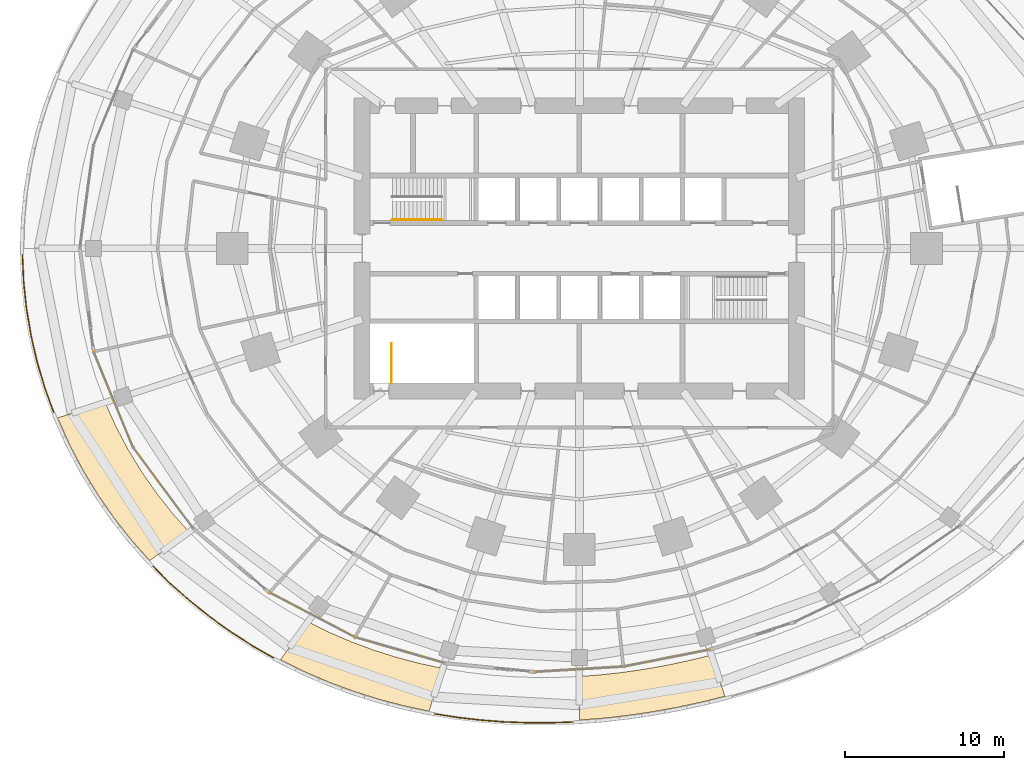
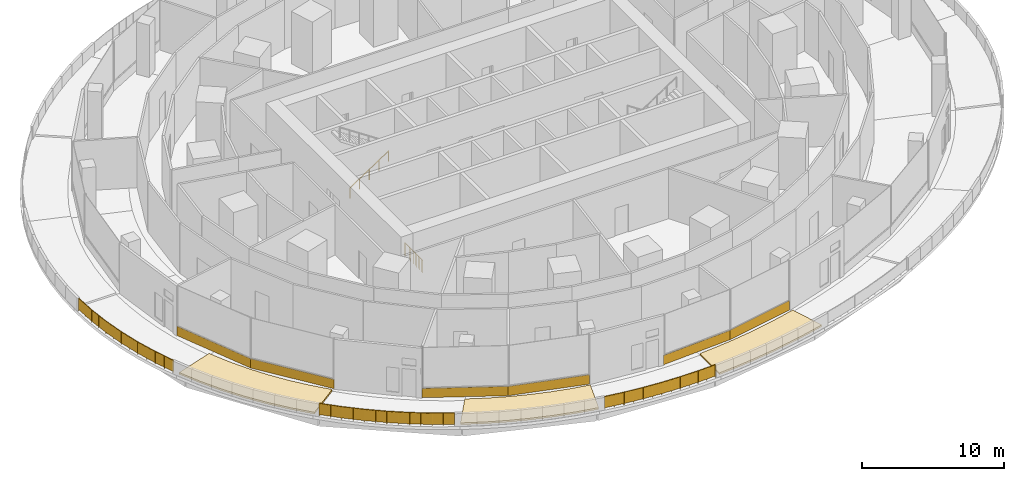
# One storey, part 23 of 26: 9 coverings, 5 railings.
"""IFC4 building model written with IfcOpenShell, lengths in metres."""

from ifc_helpers import new_model, si_unit, direction, frame, origin, origin_2d, place, context, subcontext, project, spatial, polyline, rectangle, circle, outline, extrude, material, layer, layer_set, type_object, element, save


model = new_model("IFC4")

# Units and contexts
model_context = context("Model", 3, precision=1e-05, world=origin(), true_north=direction((0.0, 1.0)))
body_context = subcontext(model_context, "Body", "Model", "MODEL_VIEW")
ifc_project = project(units=[si_unit("LENGTHUNIT", "METRE"), si_unit("AREAUNIT", "SQUARE_METRE"), si_unit("VOLUMEUNIT", "CUBIC_METRE"), si_unit("PLANEANGLEUNIT", "RADIAN"), si_unit("MASSUNIT", "GRAM", prefix="KILO")], contexts=[model_context])

# Site, building, storey
site_placement = place(None, origin())
site = spatial("IfcSite", under=ifc_project, at=site_placement, CompositionType="ELEMENT")
building_placement = place(site_placement, origin())
building = spatial("IfcBuilding", under=site, at=building_placement, Name="Marramba Exchange Tower", CompositionType="ELEMENT")
storey_placement = place(building_placement, frame((0.0, 0.0, 15.10009765625)))
storey = spatial("IfcBuildingStorey", under=building, at=storey_placement, Name="L03", CompositionType="ELEMENT", Elevation=15.10009765625)

# Coverings
ifc_material_1 = material(Name="Extensive green roof: growing medium on drainage cell, filter fabric and root-barrier membrane")
ifc_layer_1 = layer(ifc_material_1, 0.14990234375)
ifc_layer_set_1 = layer_set([ifc_layer_1], Name="Planted roof build-up 150")
covering_type_1 = type_object("IfcCoveringType", Name="Planted roof build-up 150", PredefinedType="ROOFING", material=ifc_layer_set_1)
covering_1_placement = place(storey_placement, origin())
element("IfcCovering", 1, at=covering_1_placement, inside=storey, type_object=covering_type_1, Name="Planted roof build-up L03 bay 12", PredefinedType="ROOFING", context=body_context, shape_type="SweptSolid", body=[
    extrude(outline(polyline([(-29.91162109375, -9.71875), (-29.23486328125, -11.22216796875), (-28.468505859375, -12.675048828125), (-27.61767578125, -14.072021484375), (-26.68798828125, -15.408447265625), (-25.685302734375, -16.68017578125), (-24.615478515625, -17.88427734375), (-27.1005859375, -19.689697265625), (-27.1005859375, -19.689697265625), (-28.275146484375, -18.362060546875), (-29.375244140625, -16.9599609375), (-30.39501953125, -15.487060546875), (-31.32763671875, -13.947998046875), (-32.16748046875, -12.347900390625), (-32.90869140625, -10.692626953125), (-32.90869140625, -10.692626953125), (-29.91162109375, -9.71875)])), origin(), (0.0, 0.0, 1.0), 0.14990234375),
])
covering_2_placement = place(storey_placement, origin())
element("IfcCovering", 2, at=covering_2_placement, inside=storey, type_object=covering_type_1, Name="Planted roof build-up L03 bay 14", PredefinedType="ROOFING", context=body_context, shape_type="SweptSolid", body=[
    extrude(outline(polyline([(-17.114013671875, -23.555419921875), (-15.736328125, -24.231689453125), (-14.33642578125, -24.831298828125), (-12.919189453125, -25.355224609375), (-11.489013671875, -25.804931640625), (-10.05029296875, -26.18212890625), (-8.606689453125, -26.48876953125), (-9.48388671875, -29.18798828125), (-9.48388671875, -29.18798828125), (-11.07421875, -28.849365234375), (-12.6591796875, -28.43310546875), (-14.234375, -27.9365234375), (-15.795166015625, -27.35791015625), (-17.33642578125, -26.69580078125), (-18.852783203125, -25.94873046875), (-17.114013671875, -23.555419921875)])), origin(), (0.0, 0.0, 1.0), 0.14990234375),
])
covering_3_placement = place(storey_placement, origin())
element("IfcCovering", 3, at=covering_3_placement, inside=storey, type_object=covering_type_1, Name="Planted roof build-up L03 bay 16", PredefinedType="ROOFING", context=body_context, shape_type="SweptSolid", body=[
    extrude(outline(polyline([(0.0, -27.0), (1.4091796875, -26.89013671875), (2.8095703125, -26.7314453125), (4.201416015625, -26.526123046875), (5.585205078125, -26.276123046875), (6.9619140625, -25.982177734375), (8.332763671875, -25.645263671875), (9.17919921875, -28.2509765625), (7.669677734375, -28.62353515625), (6.153076171875, -28.9482421875), (4.62890625, -29.22509765625), (3.095458984375, -29.4521484375), (1.552734375, -29.6279296875), (0.0, -29.75), (0.0, -27.0)])), origin(), (0.0, 0.0, 1.0), 0.14990234375),
])
ifc_material_2 = material(Name="Aluminium spandrel panel, bronze anodised, insulated", Category="aluminium")
ifc_layer_2 = layer(ifc_material_2, 0.050048828125)
ifc_layer_set_2 = layer_set([ifc_layer_2], Name="Spandrel panel 800")
covering_type_2 = type_object("IfcCoveringType", Name="Spandrel panel 800", PredefinedType="CLADDING", material=ifc_layer_set_2)
covering_4_placement = place(storey_placement, frame((-29.391357421875, -9.52197265625, 0.0), z_axis=(0.0, 0.0, 1.0), x_axis=(0.381514469877, -0.924362866668, 0.0)))
element("IfcCovering", 4, at=covering_4_placement, inside=storey, type_object=covering_type_2, Name="Spandrel panel SP1 L03 F17", PredefinedType="CLADDING", context=body_context, shape_type="SweptSolid", body=[
    extrude(rectangle(XDim=6.513916015625, YDim=0.050048828125, at=origin_2d()), origin(), (0.0, 0.0, 1.0), 0.800048828125),
])
covering_5_placement = place(storey_placement, frame((-26.240478515625, -15.10546875, 0.0), z_axis=(0.0, 0.0, 1.0), x_axis=(0.595708598795, -0.803200638273, 0.0)))
element("IfcCovering", 5, at=covering_5_placement, inside=storey, type_object=covering_type_2, Name="Spandrel panel SP1 L03 F18", PredefinedType="CLADDING", context=body_context, shape_type="SweptSolid", body=[
    extrude(rectangle(XDim=6.40673828125, YDim=0.050048828125, at=origin_2d()), origin(), (0.0, 0.0, 1.0), 0.800048828125),
])
covering_6_placement = place(storey_placement, frame((-16.854736328125, -23.119140625, 0.0), z_axis=(0.0, 0.0, 1.0), x_axis=(0.886061918905, -0.463566905491, 0.0)))
element("IfcCovering", 6, at=covering_6_placement, inside=storey, type_object=covering_type_2, Name="Spandrel panel SP1 L03 F20", PredefinedType="CLADDING", context=body_context, shape_type="SweptSolid", body=[
    extrude(rectangle(XDim=6.0791015625, YDim=0.050048828125, at=origin_2d()), origin(), (0.0, 0.0, 1.0), 0.800048828125),
])
covering_7_placement = place(storey_placement, frame((-11.330078125, -25.342041015625, 0.0), z_axis=(0.0, 0.0, 1.0), x_axis=(0.961087956546, -0.276242537966, 0.0)))
element("IfcCovering", 7, at=covering_7_placement, inside=storey, type_object=covering_type_2, Name="Spandrel panel SP1 L03 F21", PredefinedType="CLADDING", context=body_context, shape_type="SweptSolid", body=[
    extrude(rectangle(XDim=5.89208984375, YDim=0.050048828125, at=origin_2d()), origin(), (0.0, 0.0, 1.0), 0.800048828125),
])
covering_8_placement = place(storey_placement, frame((-0.017578125, -26.549560546875, 0.0), z_axis=(0.0, 0.0, 1.0), x_axis=(0.998230234091, 0.059467636125, 0.0)))
element("IfcCovering", 8, at=covering_8_placement, inside=storey, type_object=covering_type_2, Name="Spandrel panel SP1 L03 F23", PredefinedType="CLADDING", context=body_context, shape_type="SweptSolid", body=[
    extrude(rectangle(XDim=5.5908203125, YDim=0.050048828125, at=origin_2d()), origin(), (0.0, 0.0, 1.0), 0.800048828125),
])
covering_9_placement = place(storey_placement, frame((5.498779296875, -25.847900390625, 0.0), z_axis=(0.0, 0.0, 1.0), x_axis=(0.981244448819, 0.192767558632, 0.0)))
element("IfcCovering", 9, at=covering_9_placement, inside=storey, type_object=covering_type_2, Name="Spandrel panel SP1 L03 F24", PredefinedType="CLADDING", context=body_context, shape_type="SweptSolid", body=[
    extrude(rectangle(XDim=5.5556640625, YDim=0.050048828125, at=origin_2d()), origin(), (0.0, 0.0, 1.0), 0.800048828125),
])

# Railings
ifc_material_3 = material(Name="Stainless steel handrail", Category="steel")
railing_type_1 = type_object("IfcRailingType", Name="Stair handrail 900", PredefinedType="HANDRAIL", material=ifc_material_3)
railing_1_placement = place(storey_placement, frame((-11.800048828125, 1.800048828125, 0.173095703125)))
element("IfcRailing", 10, at=railing_1_placement, inside=storey, type_object=railing_type_1, Name="Handrail HR1 ST1 L03 flight 1", PredefinedType="HANDRAIL", context=body_context, shape_type="SweptSolid", body=[
    extrude(circle(Radius=0.02392578125, at=origin_2d()), frame((0.0, 0.0, 0.8759765625), z_axis=(0.83244090515, 0.0, 0.554113832559), x_axis=(0.0, 1.0, 0.0)), (0.0, 0.0, 1.0), 3.748046875),
    extrude(circle(Radius=0.02099609375, at=origin_2d()), origin(), (0.0, 0.0, 1.0), 0.851806640625),
    extrude(circle(Radius=0.02099609375, at=origin_2d()), frame((0.780029296875, 0.0, 0.519287109375)), (0.0, 0.0, 1.0), 0.851806640625),
    extrude(circle(Radius=0.02099609375, at=origin_2d()), frame((1.56005859375, 0.0, 1.03857421875)), (0.0, 0.0, 1.0), 0.851806640625),
    extrude(circle(Radius=0.02099609375, at=origin_2d()), frame((2.340087890625, 0.0, 1.5576171875)), (0.0, 0.0, 1.0), 0.851806640625),
    extrude(circle(Radius=0.02099609375, at=origin_2d()), frame((3.1201171875, 0.0, 2.076904296875)), (0.0, 0.0, 1.0), 0.851806640625),
])
ifc_material_4 = material(Name="Stainless steel guard", Category="steel")
railing_type_2 = type_object("IfcRailingType", Name="Stair well guard 1100", PredefinedType="GUARDRAIL", material=ifc_material_4)
railing_2_placement = place(storey_placement, frame((-11.85009765625, -8.5, 0.0)))
element("IfcRailing", 11, at=railing_2_placement, inside=storey, type_object=railing_type_2, Name="Stair well guard GR2 ST3 L03", PredefinedType="GUARDRAIL", context=body_context, shape_type="SweptSolid", body=[
    extrude(circle(Radius=0.02392578125, at=origin_2d()), frame((0.0, 0.0, 1.076171875), z_axis=(0.0, 1.0, 0.0), x_axis=(-1.0, 0.0, 0.0)), (0.0, 0.0, 1.0), 2.5),
    extrude(circle(Radius=0.02099609375, at=origin_2d()), origin(), (0.0, 0.0, 1.0), 1.052001953125),
    extrude(circle(Radius=0.02099609375, at=origin_2d()), frame((0.0, 0.833251953125, 0.0)), (0.0, 0.0, 1.0), 1.052001953125),
    extrude(circle(Radius=0.02099609375, at=origin_2d()), frame((0.0, 1.666748046875, 0.0)), (0.0, 0.0, 1.0), 1.052001953125),
    extrude(circle(Radius=0.02099609375, at=origin_2d()), frame((0.0, 2.5, 0.0)), (0.0, 0.0, 1.0), 1.052001953125),
    extrude(circle(Radius=0.006103515625, at=origin_2d()), frame((0.0, 0.115478515625, 0.0)), (0.0, 0.0, 1.0), 1.052001953125),
    extrude(circle(Radius=0.006103515625, at=origin_2d()), frame((0.0, 0.2158203125, 0.0)), (0.0, 0.0, 1.0), 1.052001953125),
    extrude(circle(Radius=0.006103515625, at=origin_2d()), frame((0.0, 0.316162109375, 0.0)), (0.0, 0.0, 1.0), 1.052001953125),
    extrude(circle(Radius=0.006103515625, at=origin_2d()), frame((0.0, 0.416748046875, 0.0)), (0.0, 0.0, 1.0), 1.052001953125),
    extrude(circle(Radius=0.006103515625, at=origin_2d()), frame((0.0, 0.51708984375, 0.0)), (0.0, 0.0, 1.0), 1.052001953125),
    extrude(circle(Radius=0.006103515625, at=origin_2d()), frame((0.0, 0.617431640625, 0.0)), (0.0, 0.0, 1.0), 1.052001953125),
    extrude(circle(Radius=0.006103515625, at=origin_2d()), frame((0.0, 0.718017578125, 0.0)), (0.0, 0.0, 1.0), 1.052001953125),
    extrude(circle(Radius=0.006103515625, at=origin_2d()), frame((0.0, 0.94873046875, 0.0)), (0.0, 0.0, 1.0), 1.052001953125),
    extrude(circle(Radius=0.006103515625, at=origin_2d()), frame((0.0, 1.049072265625, 0.0)), (0.0, 0.0, 1.0), 1.052001953125),
    extrude(circle(Radius=0.006103515625, at=origin_2d()), frame((0.0, 1.149658203125, 0.0)), (0.0, 0.0, 1.0), 1.052001953125),
    extrude(circle(Radius=0.006103515625, at=origin_2d()), frame((0.0, 1.25, 0.0)), (0.0, 0.0, 1.0), 1.052001953125),
    extrude(circle(Radius=0.006103515625, at=origin_2d()), frame((0.0, 1.350341796875, 0.0)), (0.0, 0.0, 1.0), 1.052001953125),
    extrude(circle(Radius=0.006103515625, at=origin_2d()), frame((0.0, 1.450927734375, 0.0)), (0.0, 0.0, 1.0), 1.052001953125),
    extrude(circle(Radius=0.006103515625, at=origin_2d()), frame((0.0, 1.55126953125, 0.0)), (0.0, 0.0, 1.0), 1.052001953125),
    extrude(circle(Radius=0.006103515625, at=origin_2d()), frame((0.0, 1.781982421875, 0.0)), (0.0, 0.0, 1.0), 1.052001953125),
    extrude(circle(Radius=0.006103515625, at=origin_2d()), frame((0.0, 1.882568359375, 0.0)), (0.0, 0.0, 1.0), 1.052001953125),
    extrude(circle(Radius=0.006103515625, at=origin_2d()), frame((0.0, 1.98291015625, 0.0)), (0.0, 0.0, 1.0), 1.052001953125),
    extrude(circle(Radius=0.006103515625, at=origin_2d()), frame((0.0, 2.083251953125, 0.0)), (0.0, 0.0, 1.0), 1.052001953125),
    extrude(circle(Radius=0.006103515625, at=origin_2d()), frame((0.0, 2.183837890625, 0.0)), (0.0, 0.0, 1.0), 1.052001953125),
    extrude(circle(Radius=0.006103515625, at=origin_2d()), frame((0.0, 2.2841796875, 0.0)), (0.0, 0.0, 1.0), 1.052001953125),
    extrude(circle(Radius=0.006103515625, at=origin_2d()), frame((0.0, 2.384521484375, 0.0)), (0.0, 0.0, 1.0), 1.052001953125),
])
ifc_material_5 = material(Name="Bronze anodised aluminium and laminated glass guard", Category="aluminium")
railing_type_3 = type_object("IfcRailingType", Name="Terrace guard 1100", PredefinedType="GUARDRAIL", material=ifc_material_5)
railing_3_placement = place(storey_placement, frame((-35.127197265625, -0.398193359375, 0.0)))
element("IfcRailing", 12, at=railing_3_placement, inside=storey, type_object=railing_type_3, Name="Terrace guard GR1 L03 bay 11", PredefinedType="GUARDRAIL", context=body_context, shape_type="SweptSolid", body=[
    extrude(circle(Radius=0.02392578125, at=origin_2d()), frame((0.0, 0.0, 1.076171875), z_axis=(0.044810203102, -0.998995518357, 0.0), x_axis=(0.998995518357, 0.044810203102, 0.0)), (0.0, 0.0, 1.0), 1.705322265625),
    extrude(circle(Radius=0.02392578125, at=origin_2d()), frame((0.076416015625, -1.70361328125, 1.076171875), z_axis=(0.105430428911, -0.99442668139, 0.0), x_axis=(0.99442668139, 0.105430428911, 0.0)), (0.0, 0.0, 1.0), 1.704345703125),
    extrude(circle(Radius=0.02392578125, at=origin_2d()), frame((0.256103515625, -3.3984375, 1.076171875), z_axis=(0.165747381519, -0.986168244023, 0.0), x_axis=(0.986168244023, 0.165747381519, 0.0)), (0.0, 0.0, 1.0), 1.70263671875),
    extrude(circle(Radius=0.02392578125, at=origin_2d()), frame((0.538330078125, -5.07763671875, 1.076171875), z_axis=(0.224723171741, -0.974422647562, 0.0), x_axis=(0.974422647562, 0.224723171741, 0.0)), (0.0, 0.0, 1.0), 1.7001953125),
    extrude(circle(Radius=0.02392578125, at=origin_2d()), frame((0.92041015625, -6.734375, 1.076171875), z_axis=(0.282843897959, -0.959165955082, 0.0), x_axis=(0.959165955082, 0.282843897959, 0.0)), (0.0, 0.0, 1.0), 1.697021484375),
    extrude(circle(Radius=0.02392578125, at=origin_2d()), frame((1.400390625, -8.362060546875, 1.076171875), z_axis=(0.339066722791, -0.940762327847, 0.0), x_axis=(0.940762327847, 0.339066722791, 0.0)), (0.0, 0.0, 1.0), 1.69287109375),
    extrude(circle(Radius=0.02099609375, at=origin_2d()), origin(), (0.0, 0.0, 1.0), 1.052001953125),
    extrude(circle(Radius=0.02099609375, at=origin_2d()), frame((0.0380859375, -0.851806640625, 0.0)), (0.0, 0.0, 1.0), 1.052001953125),
    extrude(circle(Radius=0.02099609375, at=origin_2d()), frame((0.076416015625, -1.70361328125, 0.0)), (0.0, 0.0, 1.0), 1.052001953125),
    extrude(circle(Radius=0.02099609375, at=origin_2d()), frame((0.166259765625, -2.551025390625, 0.0)), (0.0, 0.0, 1.0), 1.052001953125),
    extrude(circle(Radius=0.02099609375, at=origin_2d()), frame((0.256103515625, -3.3984375, 0.0)), (0.0, 0.0, 1.0), 1.052001953125),
    extrude(circle(Radius=0.02099609375, at=origin_2d()), frame((0.397216796875, -4.238037109375, 0.0)), (0.0, 0.0, 1.0), 1.052001953125),
    extrude(circle(Radius=0.02099609375, at=origin_2d()), frame((0.538330078125, -5.07763671875, 0.0)), (0.0, 0.0, 1.0), 1.052001953125),
    extrude(circle(Radius=0.02099609375, at=origin_2d()), frame((0.7294921875, -5.906005859375, 0.0)), (0.0, 0.0, 1.0), 1.052001953125),
    extrude(circle(Radius=0.02099609375, at=origin_2d()), frame((0.92041015625, -6.734375, 0.0)), (0.0, 0.0, 1.0), 1.052001953125),
    extrude(circle(Radius=0.02099609375, at=origin_2d()), frame((1.160400390625, -7.54833984375, 0.0)), (0.0, 0.0, 1.0), 1.052001953125),
    extrude(circle(Radius=0.02099609375, at=origin_2d()), frame((1.400390625, -8.362060546875, 0.0)), (0.0, 0.0, 1.0), 1.052001953125),
    extrude(circle(Radius=0.02099609375, at=origin_2d()), frame((1.6875, -9.158203125, 0.0)), (0.0, 0.0, 1.0), 1.052001953125),
    extrude(circle(Radius=0.02099609375, at=origin_2d()), frame((1.974365234375, -9.95458984375, 0.0)), (0.0, 0.0, 1.0), 1.052001953125),
    extrude(rectangle(XDim=0.834716796875, YDim=0.02001953125, at=origin_2d()), frame((0.01904296875, -0.42578125, 0.10009765625), z_axis=(0.0, 0.0, 1.0), x_axis=(0.044810203102, -0.998995518357, 0.0)), (0.0, 0.0, 1.0), 0.951904296875),
    extrude(rectangle(XDim=0.834716796875, YDim=0.02001953125, at=origin_2d()), frame((0.057373046875, -1.27783203125, 0.10009765625), z_axis=(0.0, 0.0, 1.0), x_axis=(0.044810203102, -0.998995518357, 0.0)), (0.0, 0.0, 1.0), 0.951904296875),
    extrude(rectangle(XDim=0.834228515625, YDim=0.02001953125, at=origin_2d()), frame((0.121337890625, -2.12744140625, 0.10009765625), z_axis=(0.0, 0.0, 1.0), x_axis=(0.105430428911, -0.99442668139, 0.0)), (0.0, 0.0, 1.0), 0.951904296875),
    extrude(rectangle(XDim=0.834228515625, YDim=0.02001953125, at=origin_2d()), frame((0.211181640625, -2.974609375, 0.10009765625), z_axis=(0.0, 0.0, 1.0), x_axis=(0.105430428911, -0.99442668139, 0.0)), (0.0, 0.0, 1.0), 0.951904296875),
    extrude(rectangle(XDim=0.83349609375, YDim=0.02001953125, at=origin_2d()), frame((0.32666015625, -3.818359375, 0.10009765625), z_axis=(0.0, 0.0, 1.0), x_axis=(0.165747381519, -0.986168244023, 0.0)), (0.0, 0.0, 1.0), 0.951904296875),
    extrude(rectangle(XDim=0.83349609375, YDim=0.02001953125, at=origin_2d()), frame((0.4677734375, -4.65771484375, 0.10009765625), z_axis=(0.0, 0.0, 1.0), x_axis=(0.165747381519, -0.986168244023, 0.0)), (0.0, 0.0, 1.0), 0.951904296875),
    extrude(rectangle(XDim=0.83203125, YDim=0.02001953125, at=origin_2d()), frame((0.6337890625, -5.49169921875, 0.10009765625), z_axis=(0.0, 0.0, 1.0), x_axis=(0.224723171741, -0.974422647562, 0.0)), (0.0, 0.0, 1.0), 0.951904296875),
    extrude(rectangle(XDim=0.83203125, YDim=0.02001953125, at=origin_2d()), frame((0.824951171875, -6.3203125, 0.10009765625), z_axis=(0.0, 0.0, 1.0), x_axis=(0.224723171741, -0.974422647562, 0.0)), (0.0, 0.0, 1.0), 0.951904296875),
    extrude(rectangle(XDim=0.83056640625, YDim=0.02001953125, at=origin_2d()), frame((1.04052734375, -7.141357421875, 0.10009765625), z_axis=(0.0, 0.0, 1.0), x_axis=(0.282843897959, -0.959165955082, 0.0)), (0.0, 0.0, 1.0), 0.951904296875),
    extrude(rectangle(XDim=0.83056640625, YDim=0.02001953125, at=origin_2d()), frame((1.2802734375, -7.955078125, 0.10009765625), z_axis=(0.0, 0.0, 1.0), x_axis=(0.282843897959, -0.959165955082, 0.0)), (0.0, 0.0, 1.0), 0.951904296875),
    extrude(rectangle(XDim=0.828369140625, YDim=0.02001953125, at=origin_2d()), frame((1.5439453125, -8.76025390625, 0.10009765625), z_axis=(0.0, 0.0, 1.0), x_axis=(0.339066722791, -0.940762327847, 0.0)), (0.0, 0.0, 1.0), 0.951904296875),
    extrude(rectangle(XDim=0.828369140625, YDim=0.02001953125, at=origin_2d()), frame((1.830810546875, -9.556396484375, 0.10009765625), z_axis=(0.0, 0.0, 1.0), x_axis=(0.339066722791, -0.940762327847, 0.0)), (0.0, 0.0, 1.0), 0.951904296875),
])
railing_4_placement = place(storey_placement, frame((-26.9052734375, -20.039306640625, 0.0)))
element("IfcRailing", 13, at=railing_4_placement, inside=storey, type_object=railing_type_3, Name="Terrace guard GR1 L03 bay 13", PredefinedType="GUARDRAIL", context=body_context, shape_type="SweptSolid", body=[
    extrude(circle(Radius=0.02392578125, at=origin_2d()), frame((0.0, 0.0, 1.076171875), z_axis=(0.712331676698, -0.70184298983, 0.0), x_axis=(0.70184298983, 0.712331676698, 0.0)), (0.0, 0.0, 1.0), 1.62939453125),
    extrude(circle(Radius=0.02392578125, at=origin_2d()), frame((1.16064453125, -1.1435546875, 1.076171875), z_axis=(0.748397941969, -0.663249968305, 0.0), x_axis=(0.663249968305, 0.748397941969, 0.0)), (0.0, 0.0, 1.0), 1.6201171875),
    extrude(circle(Radius=0.02392578125, at=origin_2d()), frame((2.373046875, -2.218017578125, 1.076171875), z_axis=(0.781814688152, -0.623510860683, 0.0), x_axis=(0.623510860683, 0.781814688152, 0.0)), (0.0, 0.0, 1.0), 1.610107421875),
    extrude(circle(Radius=0.02392578125, at=origin_2d()), frame((3.6318359375, -3.221923828125, 1.076171875), z_axis=(0.812722004138, -0.582651648921, 0.0), x_axis=(0.582651648921, 0.812722004138, 0.0)), (0.0, 0.0, 1.0), 1.600341796875),
    extrude(circle(Radius=0.02392578125, at=origin_2d()), frame((4.932373046875, -4.154296875, 1.076171875), z_axis=(0.841173485283, -0.540765353603, 0.0), x_axis=(0.540765353603, 0.841173485283, 0.0)), (0.0, 0.0, 1.0), 1.589599609375),
    extrude(circle(Radius=0.02392578125, at=origin_2d()), frame((6.26953125, -5.013916015625, 1.076171875), z_axis=(0.86704158631, -0.498235775119, 0.0), x_axis=(0.498235775119, 0.86704158631, 0.0)), (0.0, 0.0, 1.0), 1.578857421875),
    extrude(circle(Radius=0.02099609375, at=origin_2d()), origin(), (0.0, 0.0, 1.0), 1.052001953125),
    extrude(circle(Radius=0.02099609375, at=origin_2d()), frame((0.580322265625, -0.57177734375, 0.0)), (0.0, 0.0, 1.0), 1.052001953125),
    extrude(circle(Radius=0.02099609375, at=origin_2d()), frame((1.16064453125, -1.1435546875, 0.0)), (0.0, 0.0, 1.0), 1.052001953125),
    extrude(circle(Radius=0.02099609375, at=origin_2d()), frame((1.766845703125, -1.6806640625, 0.0)), (0.0, 0.0, 1.0), 1.052001953125),
    extrude(circle(Radius=0.02099609375, at=origin_2d()), frame((2.373046875, -2.218017578125, 0.0)), (0.0, 0.0, 1.0), 1.052001953125),
    extrude(circle(Radius=0.02099609375, at=origin_2d()), frame((3.00244140625, -2.719970703125, 0.0)), (0.0, 0.0, 1.0), 1.052001953125),
    extrude(circle(Radius=0.02099609375, at=origin_2d()), frame((3.6318359375, -3.221923828125, 0.0)), (0.0, 0.0, 1.0), 1.052001953125),
    extrude(circle(Radius=0.02099609375, at=origin_2d()), frame((4.2822265625, -3.68798828125, 0.0)), (0.0, 0.0, 1.0), 1.052001953125),
    extrude(circle(Radius=0.02099609375, at=origin_2d()), frame((4.932373046875, -4.154296875, 0.0)), (0.0, 0.0, 1.0), 1.052001953125),
    extrude(circle(Radius=0.02099609375, at=origin_2d()), frame((5.60107421875, -4.583984375, 0.0)), (0.0, 0.0, 1.0), 1.052001953125),
    extrude(circle(Radius=0.02099609375, at=origin_2d()), frame((6.26953125, -5.013916015625, 0.0)), (0.0, 0.0, 1.0), 1.052001953125),
    extrude(circle(Radius=0.02099609375, at=origin_2d()), frame((6.9541015625, -5.4072265625, 0.0)), (0.0, 0.0, 1.0), 1.052001953125),
    extrude(circle(Radius=0.02099609375, at=origin_2d()), frame((7.638427734375, -5.800537109375, 0.0)), (0.0, 0.0, 1.0), 1.052001953125),
    extrude(rectangle(XDim=0.796630859375, YDim=0.02001953125, at=origin_2d()), frame((0.2900390625, -0.285888671875, 0.10009765625), z_axis=(0.0, 0.0, 1.0), x_axis=(0.712331676698, -0.70184298983, 0.0)), (0.0, 0.0, 1.0), 0.951904296875),
    extrude(rectangle(XDim=0.796630859375, YDim=0.02001953125, at=origin_2d()), frame((0.87060546875, -0.857666015625, 0.10009765625), z_axis=(0.0, 0.0, 1.0), x_axis=(0.712331676698, -0.70184298983, 0.0)), (0.0, 0.0, 1.0), 0.951904296875),
    extrude(rectangle(XDim=0.7919921875, YDim=0.02001953125, at=origin_2d()), frame((1.4638671875, -1.412109375, 0.10009765625), z_axis=(0.0, 0.0, 1.0), x_axis=(0.748397941969, -0.663249968305, 0.0)), (0.0, 0.0, 1.0), 0.951904296875),
    extrude(rectangle(XDim=0.7919921875, YDim=0.02001953125, at=origin_2d()), frame((2.06982421875, -1.949462890625, 0.10009765625), z_axis=(0.0, 0.0, 1.0), x_axis=(0.748397941969, -0.663249968305, 0.0)), (0.0, 0.0, 1.0), 0.951904296875),
    extrude(rectangle(XDim=0.787109375, YDim=0.02001953125, at=origin_2d()), frame((2.687744140625, -2.468994140625, 0.10009765625), z_axis=(0.0, 0.0, 1.0), x_axis=(0.781814688152, -0.623510860683, 0.0)), (0.0, 0.0, 1.0), 0.951904296875),
    extrude(rectangle(XDim=0.787109375, YDim=0.02001953125, at=origin_2d()), frame((3.317138671875, -2.970947265625, 0.10009765625), z_axis=(0.0, 0.0, 1.0), x_axis=(0.781814688152, -0.623510860683, 0.0)), (0.0, 0.0, 1.0), 0.951904296875),
    extrude(rectangle(XDim=0.7822265625, YDim=0.02001953125, at=origin_2d()), frame((3.95703125, -3.455078125, 0.10009765625), z_axis=(0.0, 0.0, 1.0), x_axis=(0.812722004138, -0.582651648921, 0.0)), (0.0, 0.0, 1.0), 0.951904296875),
    extrude(rectangle(XDim=0.7822265625, YDim=0.02001953125, at=origin_2d()), frame((4.607177734375, -3.921142578125, 0.10009765625), z_axis=(0.0, 0.0, 1.0), x_axis=(0.812722004138, -0.582651648921, 0.0)), (0.0, 0.0, 1.0), 0.951904296875),
    extrude(rectangle(XDim=0.77685546875, YDim=0.02001953125, at=origin_2d()), frame((5.2666015625, -4.369140625, 0.10009765625), z_axis=(0.0, 0.0, 1.0), x_axis=(0.841173485283, -0.540765353603, 0.0)), (0.0, 0.0, 1.0), 0.951904296875),
    extrude(rectangle(XDim=0.77685546875, YDim=0.02001953125, at=origin_2d()), frame((5.935302734375, -4.799072265625, 0.10009765625), z_axis=(0.0, 0.0, 1.0), x_axis=(0.841173485283, -0.540765353603, 0.0)), (0.0, 0.0, 1.0), 0.951904296875),
    extrude(rectangle(XDim=0.771484375, YDim=0.02001953125, at=origin_2d()), frame((6.61181640625, -5.21044921875, 0.10009765625), z_axis=(0.0, 0.0, 1.0), x_axis=(0.86704158631, -0.498235775119, 0.0)), (0.0, 0.0, 1.0), 0.951904296875),
    extrude(rectangle(XDim=0.771484375, YDim=0.02001953125, at=origin_2d()), frame((7.296142578125, -5.60400390625, 0.10009765625), z_axis=(0.0, 0.0, 1.0), x_axis=(0.86704158631, -0.498235775119, 0.0)), (0.0, 0.0, 1.0), 0.951904296875),
])
railing_5_placement = place(storey_placement, frame((-9.120361328125, -29.35546875, 0.0)))
element("IfcRailing", 14, at=railing_5_placement, inside=storey, type_object=railing_type_3, Name="Terrace guard GR1 L03 bay 15", PredefinedType="GUARDRAIL", context=body_context, shape_type="SweptSolid", body=[
    extrude(circle(Radius=0.02392578125, at=origin_2d()), frame((0.0, 0.0, 1.076171875), z_axis=(0.987983743315, -0.154557830425, 0.0), x_axis=(0.154557830425, 0.987983743315, 0.0)), (0.0, 0.0, 1.0), 1.481689453125),
    extrude(circle(Radius=0.02392578125, at=origin_2d()), frame((1.4638671875, -0.22900390625, 1.076171875), z_axis=(0.993426362341, -0.114472977624, 0.0), x_axis=(0.114472977624, 0.993426362341, 0.0)), (0.0, 0.0, 1.0), 1.4716796875),
    extrude(circle(Radius=0.02392578125, at=origin_2d()), frame((2.92578125, -0.3974609375, 1.076171875), z_axis=(0.997137351646, -0.075611519969, 0.0), x_axis=(0.075611519969, 0.997137351646, 0.0)), (0.0, 0.0, 1.0), 1.462646484375),
    extrude(circle(Radius=0.02392578125, at=origin_2d()), frame((4.38427734375, -0.508056640625, 1.076171875), z_axis=(0.99927966001, -0.037949454405, 0.0), x_axis=(0.037949454405, 0.99927966001, 0.0)), (0.0, 0.0, 1.0), 1.453857421875),
    extrude(circle(Radius=0.02392578125, at=origin_2d()), frame((5.837158203125, -0.563232421875, 1.076171875), z_axis=(0.999999088159, -0.001350437661, 0.0), x_axis=(0.001350437661, 0.999999088159, 0.0)), (0.0, 0.0, 1.0), 1.4462890625),
    extrude(circle(Radius=0.02392578125, at=origin_2d()), frame((7.283447265625, -0.565185546875, 1.076171875), z_axis=(0.999430125378, 0.033755362347, 0.0), x_axis=(-0.033755362347, 0.999430125378, 0.0)), (0.0, 0.0, 1.0), 1.439208984375),
    extrude(circle(Radius=0.02099609375, at=origin_2d()), origin(), (0.0, 0.0, 1.0), 1.052001953125),
    extrude(circle(Radius=0.02099609375, at=origin_2d()), frame((0.73193359375, -0.114501953125, 0.0)), (0.0, 0.0, 1.0), 1.052001953125),
    extrude(circle(Radius=0.02099609375, at=origin_2d()), frame((1.4638671875, -0.22900390625, 0.0)), (0.0, 0.0, 1.0), 1.052001953125),
    extrude(circle(Radius=0.02099609375, at=origin_2d()), frame((2.19482421875, -0.313232421875, 0.0)), (0.0, 0.0, 1.0), 1.052001953125),
    extrude(circle(Radius=0.02099609375, at=origin_2d()), frame((2.92578125, -0.3974609375, 0.0)), (0.0, 0.0, 1.0), 1.052001953125),
    extrude(circle(Radius=0.02099609375, at=origin_2d()), frame((3.655029296875, -0.45263671875, 0.0)), (0.0, 0.0, 1.0), 1.052001953125),
    extrude(circle(Radius=0.02099609375, at=origin_2d()), frame((4.38427734375, -0.508056640625, 0.0)), (0.0, 0.0, 1.0), 1.052001953125),
    extrude(circle(Radius=0.02099609375, at=origin_2d()), frame((5.11083984375, -0.53564453125, 0.0)), (0.0, 0.0, 1.0), 1.052001953125),
    extrude(circle(Radius=0.02099609375, at=origin_2d()), frame((5.837158203125, -0.563232421875, 0.0)), (0.0, 0.0, 1.0), 1.052001953125),
    extrude(circle(Radius=0.02099609375, at=origin_2d()), frame((6.560302734375, -0.564208984375, 0.0)), (0.0, 0.0, 1.0), 1.052001953125),
    extrude(circle(Radius=0.02099609375, at=origin_2d()), frame((7.283447265625, -0.565185546875, 0.0)), (0.0, 0.0, 1.0), 1.052001953125),
    extrude(circle(Radius=0.02099609375, at=origin_2d()), frame((8.002685546875, -0.541015625, 0.0)), (0.0, 0.0, 1.0), 1.052001953125),
    extrude(circle(Radius=0.02099609375, at=origin_2d()), frame((8.721923828125, -0.5166015625, 0.0)), (0.0, 0.0, 1.0), 1.052001953125),
    extrude(rectangle(XDim=0.722900390625, YDim=0.02001953125, at=origin_2d()), frame((0.365966796875, -0.05712890625, 0.10009765625), z_axis=(0.0, 0.0, 1.0), x_axis=(0.987983743315, -0.154557830425, 0.0)), (0.0, 0.0, 1.0), 0.951904296875),
    extrude(rectangle(XDim=0.722900390625, YDim=0.02001953125, at=origin_2d()), frame((1.097900390625, -0.171875, 0.10009765625), z_axis=(0.0, 0.0, 1.0), x_axis=(0.987983743315, -0.154557830425, 0.0)), (0.0, 0.0, 1.0), 0.951904296875),
    extrude(rectangle(XDim=0.7177734375, YDim=0.02001953125, at=origin_2d()), frame((1.829345703125, -0.27099609375, 0.10009765625), z_axis=(0.0, 0.0, 1.0), x_axis=(0.993426362341, -0.114472977624, 0.0)), (0.0, 0.0, 1.0), 0.951904296875),
    extrude(rectangle(XDim=0.7177734375, YDim=0.02001953125, at=origin_2d()), frame((2.560302734375, -0.35546875, 0.10009765625), z_axis=(0.0, 0.0, 1.0), x_axis=(0.993426362341, -0.114472977624, 0.0)), (0.0, 0.0, 1.0), 0.951904296875),
    extrude(rectangle(XDim=0.71337890625, YDim=0.02001953125, at=origin_2d()), frame((3.29052734375, -0.425048828125, 0.10009765625), z_axis=(0.0, 0.0, 1.0), x_axis=(0.997137351646, -0.075611519969, 0.0)), (0.0, 0.0, 1.0), 0.951904296875),
    extrude(rectangle(XDim=0.71337890625, YDim=0.02001953125, at=origin_2d()), frame((4.01953125, -0.48046875, 0.10009765625), z_axis=(0.0, 0.0, 1.0), x_axis=(0.997137351646, -0.075611519969, 0.0)), (0.0, 0.0, 1.0), 0.951904296875),
    extrude(rectangle(XDim=0.708984375, YDim=0.02001953125, at=origin_2d()), frame((4.74755859375, -0.52197265625, 0.10009765625), z_axis=(0.0, 0.0, 1.0), x_axis=(0.99927966001, -0.037949454405, 0.0)), (0.0, 0.0, 1.0), 0.951904296875),
    extrude(rectangle(XDim=0.708984375, YDim=0.02001953125, at=origin_2d()), frame((5.473876953125, -0.54931640625, 0.10009765625), z_axis=(0.0, 0.0, 1.0), x_axis=(0.99927966001, -0.037949454405, 0.0)), (0.0, 0.0, 1.0), 0.951904296875),
    extrude(rectangle(XDim=0.705078125, YDim=0.02001953125, at=origin_2d()), frame((6.19873046875, -0.563720703125, 0.10009765625), z_axis=(0.0, 0.0, 1.0), x_axis=(0.999999088159, -0.001350437661, 0.0)), (0.0, 0.0, 1.0), 0.951904296875),
    extrude(rectangle(XDim=0.705078125, YDim=0.02001953125, at=origin_2d()), frame((6.921875, -0.564697265625, 0.10009765625), z_axis=(0.0, 0.0, 1.0), x_axis=(0.999999088159, -0.001350437661, 0.0)), (0.0, 0.0, 1.0), 0.951904296875),
    extrude(rectangle(XDim=0.70166015625, YDim=0.02001953125, at=origin_2d()), frame((7.64306640625, -0.552978515625, 0.10009765625), z_axis=(0.0, 0.0, 1.0), x_axis=(0.999430125378, 0.033755362347, 0.0)), (0.0, 0.0, 1.0), 0.951904296875),
    extrude(rectangle(XDim=0.70166015625, YDim=0.02001953125, at=origin_2d()), frame((8.3623046875, -0.52880859375, 0.10009765625), z_axis=(0.0, 0.0, 1.0), x_axis=(0.999430125378, 0.033755362347, 0.0)), (0.0, 0.0, 1.0), 0.951904296875),
])

save(model, "model.ifc")
